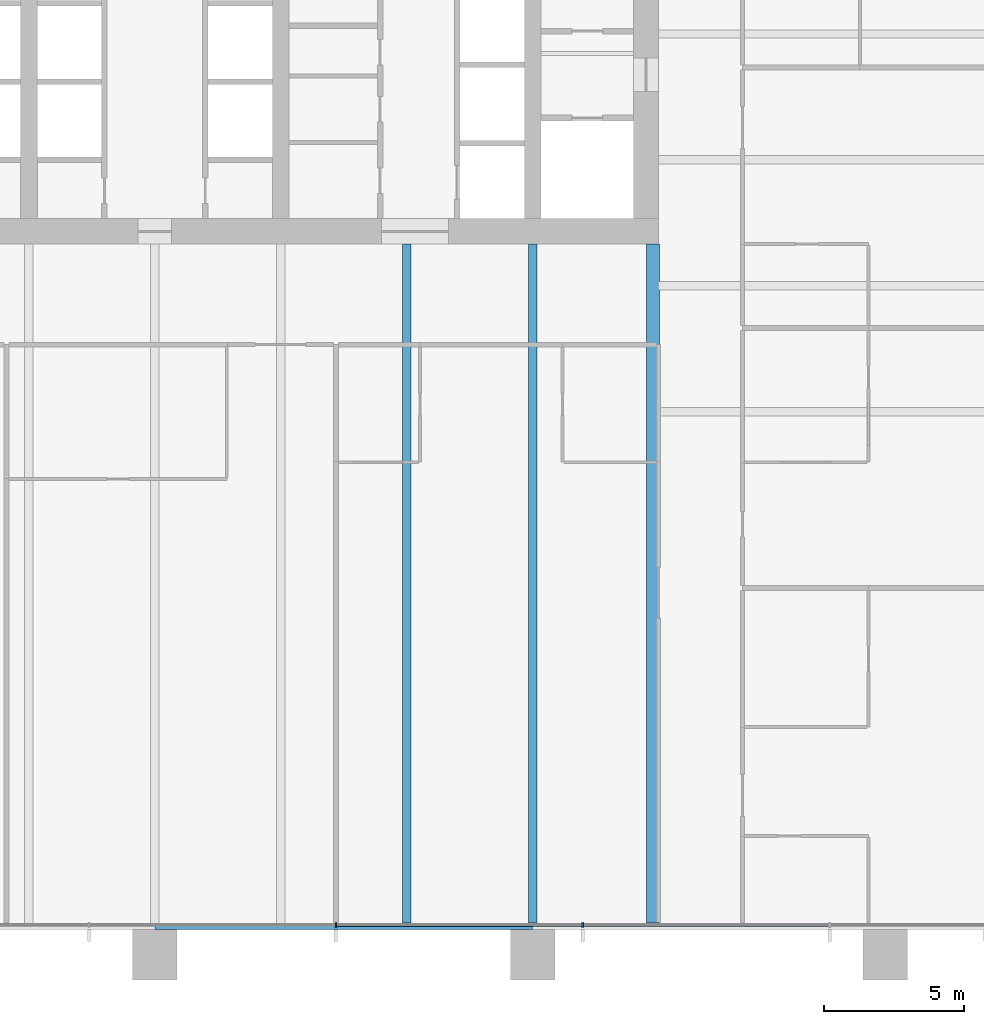
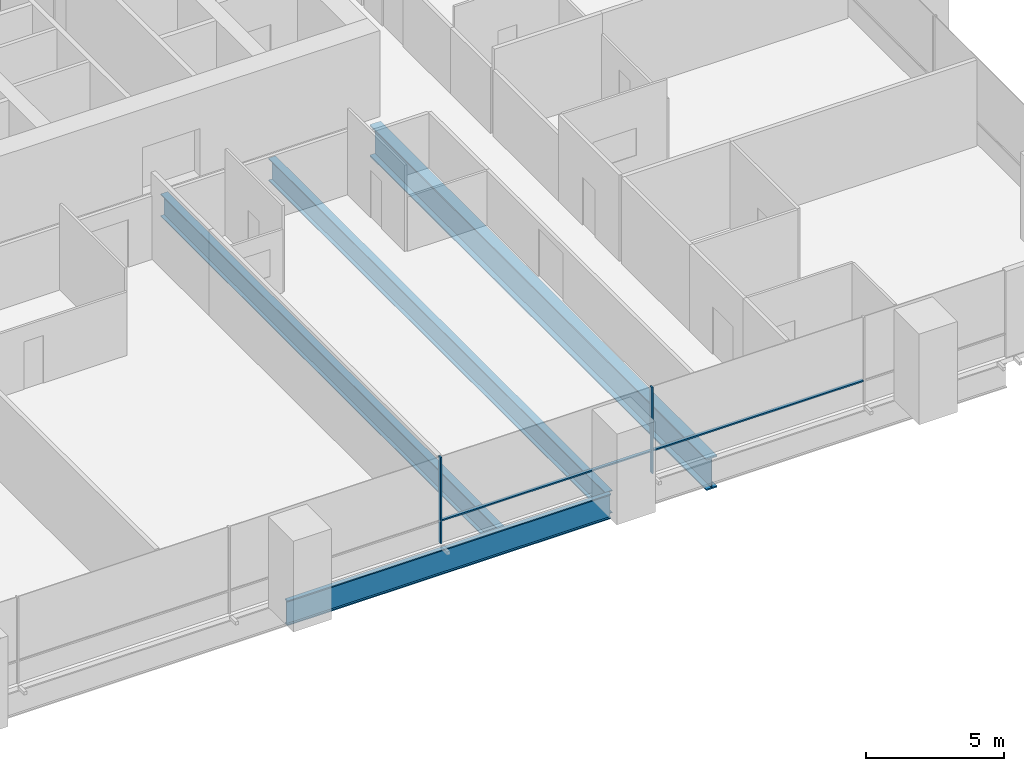
# One storey, part 5 of 17: 4 beams, 4 members, 1 element without a shape of its own.
"""IFC4 building model written with IfcOpenShell, lengths in metres."""

from ifc_helpers import new_model, si_unit, direction, frame, origin, origin_2d, place, context, subcontext, project, spatial, rectangle, i_section, extrude, material, material_profile, profile_set, type_object, element, aggregate, save


model = new_model("IFC4")

# Units and contexts
model_context = context("Model", 3, precision=1e-05, world=origin(), true_north=direction((0.0, 1.0)))
body_context = subcontext(model_context, "Body", "Model", "MODEL_VIEW")
ifc_project = project(units=[si_unit("LENGTHUNIT", "METRE"), si_unit("AREAUNIT", "SQUARE_METRE"), si_unit("VOLUMEUNIT", "CUBIC_METRE"), si_unit("PLANEANGLEUNIT", "RADIAN"), si_unit("MASSUNIT", "GRAM", prefix="KILO")], contexts=[model_context])

# Site, building, storey
site_placement = place(None, origin())
site = spatial("IfcSite", under=ifc_project, at=site_placement, CompositionType="ELEMENT")
building_placement = place(site_placement, origin())
building = spatial("IfcBuilding", under=site, at=building_placement, Name="Rattan Terrace Tower", CompositionType="ELEMENT")
storey_placement = place(building_placement, frame((0.0, 0.0, 107.699951171875)))
storey = spatial("IfcBuildingStorey", under=building, at=storey_placement, Name="L24", CompositionType="ELEMENT", Elevation=107.699951171875)

# Curtain wall, members
ifc_material_1 = material(Name="Aluminium and glass", Category="aluminium")
curtain_wall_type = type_object("IfcCurtainWallType", Name="Facade Unitised Curtain Wall", PredefinedType="NOTDEFINED", material=ifc_material_1)
curtain_wall_placement = place(storey_placement, origin())
curtain_wall = element("IfcCurtainWall", 1, at=curtain_wall_placement, inside=storey, type_object=curtain_wall_type, Name="Curtain wall L24-4", PredefinedType="NOTDEFINED")
ifc_material_2 = material(Name="Aluminium", Category="aluminium")
ifc_material_profile_1 = material_profile(ifc_material_2, rectangle(XDim=0.06005859375, YDim=0.159912109375, at=origin_2d()), Name="Aluminium 60x160")
ifc_profile_set_1 = profile_set([ifc_material_profile_1], Name="Aluminium")
member_type_1 = type_object("IfcMemberType", Name="Facade CW Mullion 60x160", PredefinedType="MULLION", material=ifc_profile_set_1)
member_1_placement = place(storey_placement, frame((6.468994140625, -31.830078125, 0.0), z_axis=(0.0, 0.0, 1.0), x_axis=(1.0, 0.0, 0.0)))
member_1 = element("IfcMember", 2, at=member_1_placement, type_object=member_type_1, Name="Mullion cwl-L24-004.4", PredefinedType="MULLION", context=body_context, shape_type="SweptSolid", body=[
    extrude(rectangle(XDim=0.06005859375, YDim=0.159912109375, at=origin_2d()), origin(), (0.0, 0.0, 1.0), 3.800048828125),
])
member_2_placement = place(storey_placement, frame((15.2919921875, -31.830078125, 0.0), z_axis=(0.0, 0.0, 1.0), x_axis=(1.0, 0.0, 0.0)))
member_2 = element("IfcMember", 3, at=member_2_placement, type_object=member_type_1, Name="Mullion cwl-L24-004.5", PredefinedType="MULLION", context=body_context, shape_type="SweptSolid", body=[
    extrude(rectangle(XDim=0.06005859375, YDim=0.159912109375, at=origin_2d()), origin(), (0.0, 0.0, 1.0), 3.800048828125),
])
ifc_material_3 = material(Name="Aluminium", Category="aluminium")
ifc_material_profile_2 = material_profile(ifc_material_3, rectangle(XDim=0.1201171875, YDim=0.06005859375, at=origin_2d()), Name="Aluminium 120x60")
ifc_profile_set_2 = profile_set([ifc_material_profile_2], Name="Aluminium")
member_type_2 = type_object("IfcMemberType", Name="Facade CW Transom 120x60", PredefinedType="USERDEFINED", material=ifc_profile_set_2)
member_3_placement = place(storey_placement, frame((6.4990234375, -31.830078125, 1.0), z_axis=(1.0, 0.0, 0.0), x_axis=(0.0, 1.0, 0.0)))
member_3 = element("IfcMember", 4, at=member_3_placement, type_object=member_type_2, Name="Transom cwl-L24-004.4", ObjectType="TRANSOM", PredefinedType="USERDEFINED", context=body_context, shape_type="SweptSolid", body=[
    extrude(rectangle(XDim=0.1201171875, YDim=0.06005859375, at=origin_2d()), origin(), (0.0, 0.0, 1.0), 8.762939453125),
])
member_4_placement = place(storey_placement, frame((15.322021484375, -31.830078125, 1.0), z_axis=(1.0, 0.0, 0.0), x_axis=(0.0, 1.0, 0.0)))
member_4 = element("IfcMember", 5, at=member_4_placement, type_object=member_type_2, Name="Transom cwl-L24-004.5", ObjectType="TRANSOM", PredefinedType="USERDEFINED", context=body_context, shape_type="SweptSolid", body=[
    extrude(rectangle(XDim=0.1201171875, YDim=0.06005859375, at=origin_2d()), origin(), (0.0, 0.0, 1.0), 8.762939453125),
])
aggregate(curtain_wall, [member_1, member_2, member_3, member_4])

# Beams
ifc_material_4 = material(Name="Steel S460", Category="steel")
ifc_material_profile_3 = material_profile(ifc_material_4, i_section(OverallWidth=0.449951171875, OverallDepth=1.39990234375, WebThickness=0.02197265625, FlangeThickness=0.054931640625, at=origin_2d()), Name="PG 1400x450-22-55")
ifc_profile_set_3 = profile_set([ifc_material_profile_3], Name="Steel S460")
beam_type_1 = type_object("IfcBeamType", Name="Frame core girder PG 1400x450-22-55", PredefinedType="BEAM", material=ifc_profile_set_3)
beam_1_placement = place(storey_placement, frame((17.800048828125, -31.820068359375, -0.89990234375), z_axis=(0.0, 1.0, 0.0), x_axis=(-1.0, 0.0, 0.0)))
element("IfcBeam", 6, at=beam_1_placement, inside=storey, type_object=beam_type_1, Name="gdr-L24-009", PredefinedType="BEAM", context=body_context, shape_type="SweptSolid", body=[
    extrude(i_section(OverallWidth=0.449951171875, OverallDepth=1.39990234375, WebThickness=0.02197265625, FlangeThickness=0.054931640625, at=origin_2d()), origin(), (0.0, 0.0, 1.0), 24.320068359375),
])
ifc_material_5 = material(Name="Steel S460", Category="steel")
ifc_material_profile_4 = material_profile(ifc_material_5, i_section(OverallWidth=0.179931640625, OverallDepth=1.10009765625, WebThickness=0.01611328125, FlangeThickness=0.050048828125, at=origin_2d()), Name="PG 1100x180-16-50")
ifc_profile_set_4 = profile_set([ifc_material_profile_4], Name="Steel S460")
beam_type_2 = type_object("IfcBeamType", Name="Frame edge girder PG 1100x180-16-50", PredefinedType="SPANDREL", material=ifc_profile_set_4)
beam_2_placement = place(storey_placement, frame((0.0, -31.909912109375, -0.75), z_axis=(1.0, 0.0, 0.0), x_axis=(0.0, 1.0, 0.0)))
element("IfcBeam", 7, at=beam_2_placement, inside=storey, type_object=beam_type_2, Name="gdr-L24-002", PredefinedType="SPANDREL", context=body_context, shape_type="SweptSolid", body=[
    extrude(i_section(OverallWidth=0.179931640625, OverallDepth=1.10009765625, WebThickness=0.01611328125, FlangeThickness=0.050048828125, at=origin_2d()), origin(), (0.0, 0.0, 1.0), 13.5),
])
ifc_material_6 = material(Name="Steel S460", Category="steel")
ifc_material_profile_5 = material_profile(ifc_material_6, i_section(OverallWidth=0.300048828125, OverallDepth=1.0, WebThickness=0.013916015625, FlangeThickness=0.0400390625, at=origin_2d()), Name="PG 1000x300-14-40")
ifc_profile_set_5 = profile_set([ifc_material_profile_5], Name="Steel S460")
beam_type_3 = type_object("IfcBeamType", Name="Frame floor beam PG 1000x300-14-40", PredefinedType="JOIST", material=ifc_profile_set_5)
for number, where, z_axis, x_axis, name in (
    (8, (9.0, -31.820068359375, -0.699951171875), (0.0, 1.0, 0.0), (-1.0, 0.0, 0.0), "bm-L24-008"),
    (9, (13.5, -31.820068359375, -0.699951171875), (0.0, 1.0, 0.0), (-1.0, 0.0, 0.0), "bm-L24-009"),
):
    element("IfcBeam", number, at=place(storey_placement, frame(where, z_axis=z_axis, x_axis=x_axis)), inside=storey, type_object=beam_type_3, Name=name, PredefinedType="JOIST", context=body_context, shape_type="SweptSolid", body=[
        extrude(i_section(OverallWidth=0.300048828125, OverallDepth=1.0, WebThickness=0.013916015625, FlangeThickness=0.0400390625, at=origin_2d()), origin(), (0.0, 0.0, 1.0), 24.320068359375),
    ])

save(model, "model.ifc")
